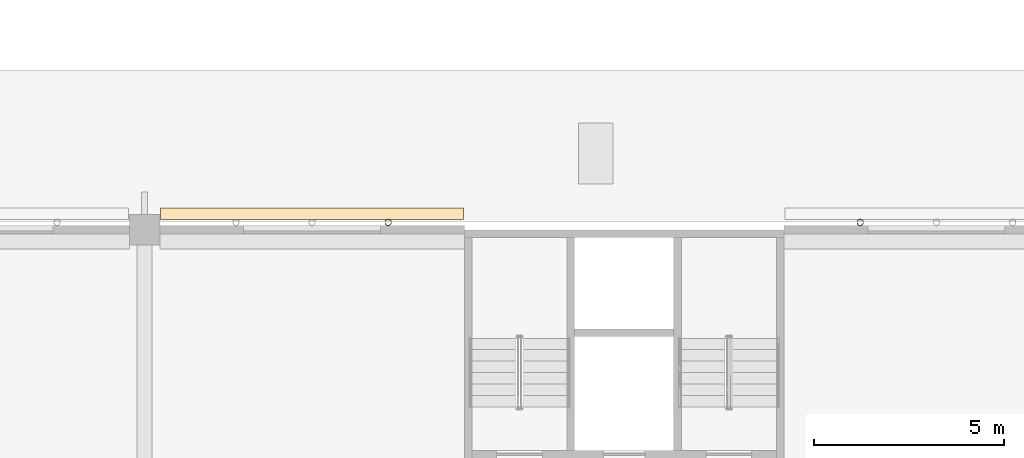
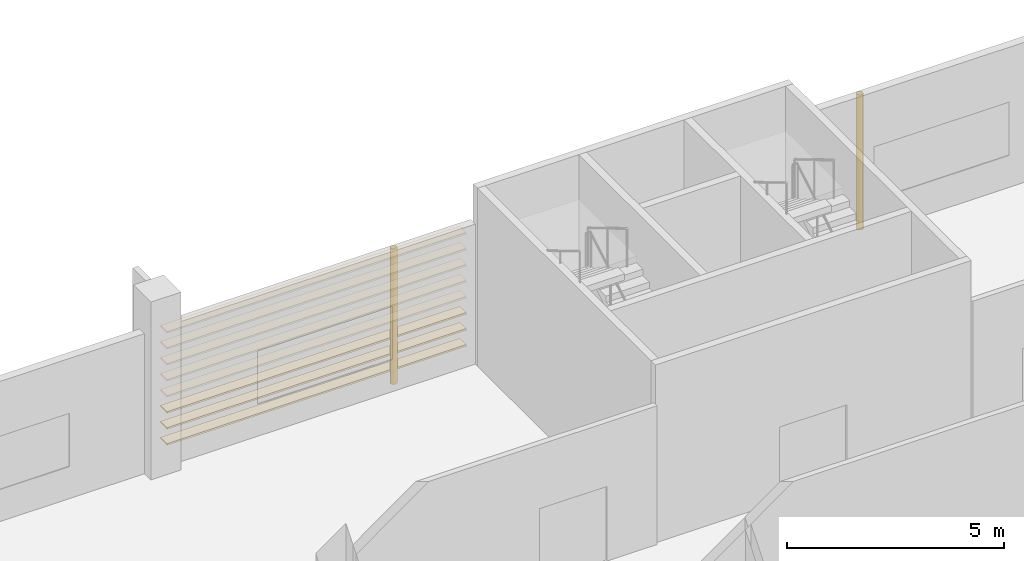
# One storey, part 66 of 101: 8 coverings, 2 shading devices.
"""IFC4 building model written with IfcOpenShell, lengths in metres."""

from ifc_helpers import new_model, si_unit, direction, frame, origin, origin_2d, place, context, subcontext, project, spatial, rectangle, hollow_circle, extrude, material, material_profile, profile_set, type_object, element, save


model = new_model("IFC4")

# Units and contexts
model_context = context("Model", 3, precision=1e-05, world=origin(), true_north=direction((0.0, 1.0)))
body_context = subcontext(model_context, "Body", "Model", "MODEL_VIEW")
ifc_project = project(units=[si_unit("LENGTHUNIT", "METRE"), si_unit("AREAUNIT", "SQUARE_METRE"), si_unit("VOLUMEUNIT", "CUBIC_METRE"), si_unit("PLANEANGLEUNIT", "RADIAN"), si_unit("MASSUNIT", "GRAM", prefix="KILO")], contexts=[model_context])

# Site, building, storey
site_placement = place(None, origin())
site = spatial("IfcSite", under=ifc_project, at=site_placement, CompositionType="ELEMENT")
building_placement = place(site_placement, origin())
building = spatial("IfcBuilding", under=site, at=building_placement, Name="Almond Square Museum", CompositionType="ELEMENT")
storey_placement = place(building_placement, frame((0.0, 0.0, 5.5)))
storey = spatial("IfcBuildingStorey", under=building, at=storey_placement, Name="L01", CompositionType="ELEMENT", Elevation=5.5)

# Shading devices
ifc_material_1 = material(Name="Structural steel S355", Category="steel")
ifc_material_profile_1 = material_profile(ifc_material_1, hollow_circle(Radius=0.084228515625, WallThickness=0.008056640625, at=origin_2d()))
ifc_profile_set_1 = profile_set([ifc_material_profile_1], Name="Structural steel S355")
shading_device_type = type_object("IfcShadingDeviceType", Name="Louvre post CHS 168.3 x 8", PredefinedType="USERDEFINED", material=ifc_profile_set_1)
for number, where, z_axis, x_axis, name in (
    (1, (66.800048828125, 16.994140625, 0.0), (0.0, 0.0, 1.0), (1.0, 0.0, 0.0), "Louvre screen post"),
    (2, (54.39990234375, 16.994140625, 0.0), (0.0, 0.0, 1.0), (1.0, 0.0, 0.0), "Louvre screen post"),
):
    element("IfcShadingDevice", number, at=place(storey_placement, frame(where, z_axis=z_axis, x_axis=x_axis)), inside=storey, type_object=shading_device_type, Name=name, ObjectType="POST", PredefinedType="USERDEFINED", context=body_context, shape_type="SweptSolid", body=[
        extrude(hollow_circle(Radius=0.084228515625, WallThickness=0.008056640625, at=origin_2d()), origin(), (0.0, 0.0, 1.0), 3.800048828125),
    ])

# Coverings
ifc_material_2 = material(Name="Cedar timber louvre board", Category="wood")
ifc_material_profile_2 = material_profile(ifc_material_2, rectangle(XDim=0.300048828125, YDim=0.050048828125, at=origin_2d()))
ifc_profile_set_2 = profile_set([ifc_material_profile_2], Name="Cedar timber louvre board")
covering_type = type_object("IfcCoveringType", Name="Louvre screen board 300 x 50", PredefinedType="CLADDING", material=ifc_profile_set_2)
for number, where, z_axis, x_axis, name in (
    (3, (48.419921875, 17.224365234375, 0.300048828125), (1.0, 0.0, 0.0), (0.0, 1.0, 0.0), "Louvre screen board"),
    (4, (48.419921875, 17.224365234375, 0.75), (1.0, 0.0, 0.0), (0.0, 1.0, 0.0), "Louvre screen board"),
    (5, (48.419921875, 17.224365234375, 1.199951171875), (1.0, 0.0, 0.0), (0.0, 1.0, 0.0), "Louvre screen board"),
    (6, (48.419921875, 17.224365234375, 1.64990234375), (1.0, 0.0, 0.0), (0.0, 1.0, 0.0), "Louvre screen board"),
    (7, (48.419921875, 17.224365234375, 2.10009765625), (1.0, 0.0, 0.0), (0.0, 1.0, 0.0), "Louvre screen board"),
    (8, (48.419921875, 17.224365234375, 2.550048828125), (1.0, 0.0, 0.0), (0.0, 1.0, 0.0), "Louvre screen board"),
    (9, (48.419921875, 17.224365234375, 3.0), (1.0, 0.0, 0.0), (0.0, 1.0, 0.0), "Louvre screen board"),
    (10, (48.419921875, 17.224365234375, 3.449951171875), (1.0, 0.0, 0.0), (0.0, 1.0, 0.0), "Louvre screen board"),
):
    element("IfcCovering", number, at=place(storey_placement, frame(where, z_axis=z_axis, x_axis=x_axis)), inside=storey, type_object=covering_type, Name=name, PredefinedType="CLADDING", context=body_context, shape_type="SweptSolid", body=[
        extrude(rectangle(XDim=0.300048828125, YDim=0.050048828125, at=origin_2d()), origin(), (0.0, 0.0, 1.0), 7.9599609375),
    ])

save(model, "model.ifc")
